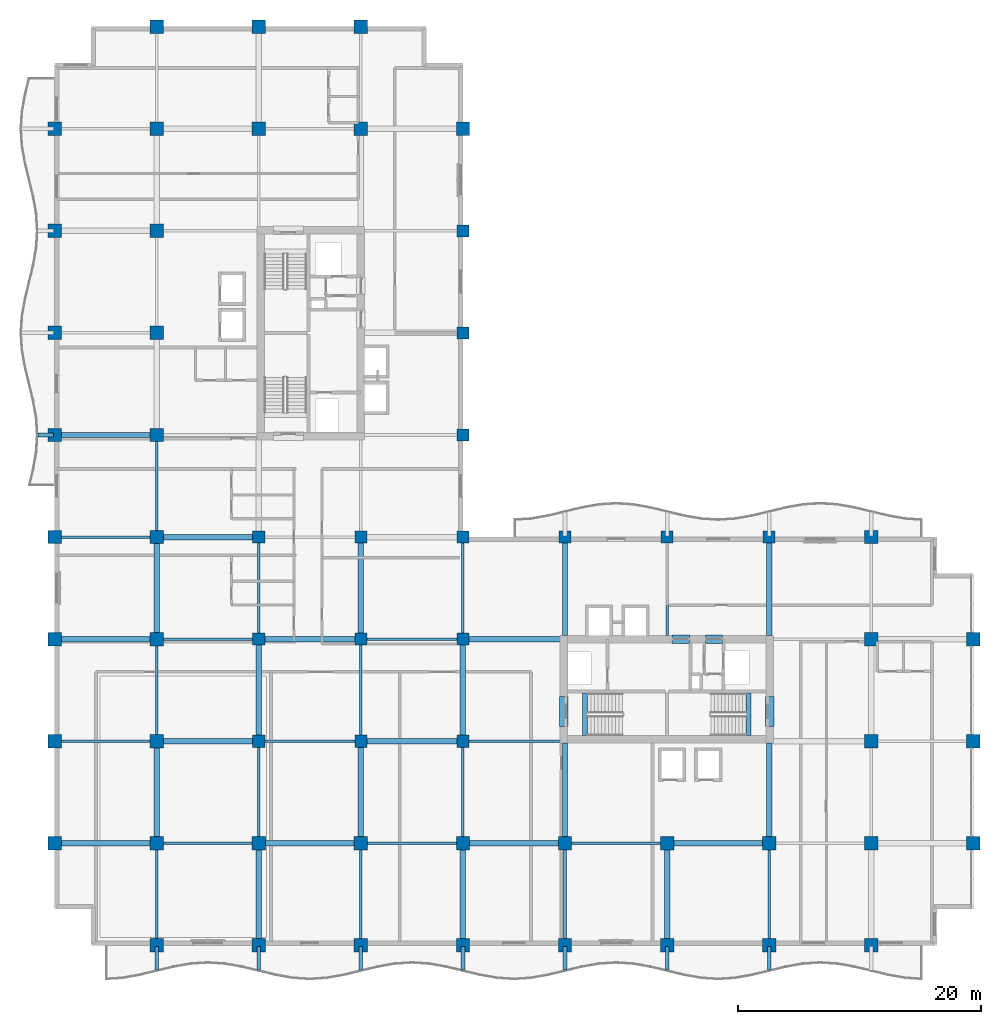
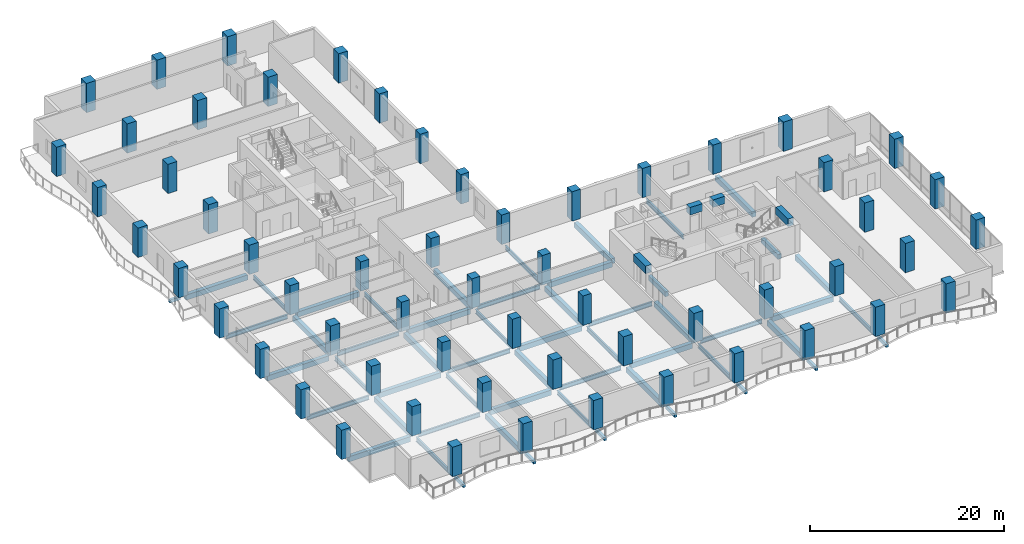
# One storey, part 1 of 20: 59 beams, 58 columns.
"""IFC4 building model written with IfcOpenShell, lengths in metres."""

from ifc_helpers import new_model, si_unit, direction, frame, origin, origin_2d, place, context, subcontext, project, spatial, rectangle, i_section, extrude, material, material_profile, profile_set, type_object, element, save


model = new_model("IFC4")

# Units and contexts
model_context = context("Model", 3, precision=1e-05, world=origin(), true_north=direction((0.0, 1.0)))
body_context = subcontext(model_context, "Body", "Model", "MODEL_VIEW")
ifc_project = project(units=[si_unit("LENGTHUNIT", "METRE"), si_unit("AREAUNIT", "SQUARE_METRE"), si_unit("VOLUMEUNIT", "CUBIC_METRE"), si_unit("PLANEANGLEUNIT", "RADIAN"), si_unit("MASSUNIT", "GRAM", prefix="KILO")], contexts=[model_context])

# Site, building, storey
site_placement = place(None, origin())
site = spatial("IfcSite", under=ifc_project, at=site_placement, CompositionType="ELEMENT")
building_placement = place(site_placement, origin())
building = spatial("IfcBuilding", under=site, at=building_placement, Name="Koriwani Terraces Tower", CompositionType="ELEMENT")
storey_placement = place(building_placement, frame((0.0, 0.0, 212.39990234375)))
storey = spatial("IfcBuildingStorey", under=building, at=storey_placement, Name="L52", CompositionType="ELEMENT", Elevation=212.39990234375)

# Columns
ifc_material_1 = material(Name="Concrete C50/60", Category="concrete")
ifc_material_profile_1 = material_profile(ifc_material_1, rectangle(XDim=1.0, YDim=1.0, at=origin_2d()), Name="Concrete C50/60", Category="LoadBearing")
ifc_profile_set_1 = profile_set([ifc_material_profile_1], Name="Concrete C50/60")
column_type_1 = type_object("IfcColumnType", Name="COL_RC_1000X1000", PredefinedType="COLUMN", material=ifc_profile_set_1)
for number, where, z_axis, x_axis, name in (
    (1, (16.800048828125, 16.800048828125, 0.0), (0.0, 0.0, 1.0), (1.0, 0.0, 0.0), "L52 Column 3/C"),
    (2, (16.800048828125, 25.199951171875, 0.0), (0.0, 0.0, 1.0), (1.0, 0.0, 0.0), "L52 Column 3/D"),
    (3, (16.800048828125, 33.60009765625, 0.0), (0.0, 0.0, 1.0), (1.0, 0.0, 0.0), "L52 Column 3/E"),
    (4, (25.199951171875, 16.800048828125, 0.0), (0.0, 0.0, 1.0), (1.0, 0.0, 0.0), "L52 Column 4/C"),
    (5, (25.199951171875, 25.199951171875, 0.0), (0.0, 0.0, 1.0), (1.0, 0.0, 0.0), "L52 Column 4/D"),
    (6, (25.199951171875, 33.60009765625, 0.0), (0.0, 0.0, 1.0), (1.0, 0.0, 0.0), "L52 Column 4/E"),
    (7, (33.60009765625, 16.800048828125, 0.0), (0.0, 0.0, 1.0), (1.0, 0.0, 0.0), "L52 Column 5/C"),
    (8, (33.60009765625, 25.199951171875, 0.0), (0.0, 0.0, 1.0), (1.0, 0.0, 0.0), "L52 Column 5/D"),
    (9, (33.60009765625, 33.60009765625, 0.0), (0.0, 0.0, 1.0), (1.0, 0.0, 0.0), "L52 Column 5/E"),
    (10, (33.60009765625, 42.0, 0.0), (0.0, 0.0, 1.0), (1.0, 0.0, 0.0), "L52 Column 5/F"),
    (11, (33.60009765625, 50.39990234375, 0.0), (0.0, 0.0, 1.0), (1.0, 0.0, 0.0), "L52 Column 5/G"),
    (12, (33.60009765625, 58.800048828125, 0.0), (0.0, 0.0, 1.0), (1.0, 0.0, 0.0), "L52 Column 5/H"),
    (13, (42.0, 33.60009765625, 0.0), (0.0, 0.0, 1.0), (1.0, 0.0, 0.0), "L52 Column 6/E"),
    (14, (50.39990234375, 33.60009765625, 0.0), (0.0, 0.0, 1.0), (1.0, 0.0, 0.0), "L52 Column 7/E"),
    (15, (58.800048828125, 33.60009765625, 0.0), (0.0, 0.0, 1.0), (1.0, 0.0, 0.0), "L52 Column 8/E"),
):
    element("IfcColumn", number, at=place(storey_placement, frame(where, z_axis=z_axis, x_axis=x_axis)), inside=storey, type_object=column_type_1, Name=name, PredefinedType="COLUMN", context=body_context, shape_type="SweptSolid", body=[
        extrude(rectangle(XDim=1.0, YDim=1.0, at=origin_2d()), origin(), (0.0, 0.0, 1.0), 3.7001953125),
    ])
ifc_material_profile_2 = material_profile(ifc_material_1, rectangle(XDim=1.10009765625, YDim=1.10009765625, at=origin_2d()), Name="Concrete C50/60", Category="LoadBearing")
ifc_profile_set_2 = profile_set([ifc_material_profile_2], Name="Concrete C50/60")
column_type_2 = type_object("IfcColumnType", Name="COL_RC_1100X1100", PredefinedType="COLUMN", material=ifc_profile_set_2)
for number, where, z_axis, x_axis, name in (
    (16, (0.0, 8.39990234375, 0.0), (0.0, 0.0, 1.0), (1.0, 0.0, 0.0), "L52 Column 1/B"),
    (17, (0.0, 16.800048828125, 0.0), (0.0, 0.0, 1.0), (1.0, 0.0, 0.0), "L52 Column 1/C"),
    (18, (0.0, 25.199951171875, 0.0), (0.0, 0.0, 1.0), (1.0, 0.0, 0.0), "L52 Column 1/D"),
    (19, (0.0, 33.60009765625, 0.0), (0.0, 0.0, 1.0), (1.0, 0.0, 0.0), "L52 Column 1/E"),
    (20, (0.0, 42.0, 0.0), (0.0, 0.0, 1.0), (1.0, 0.0, 0.0), "L52 Column 1/F"),
    (21, (0.0, 50.39990234375, 0.0), (0.0, 0.0, 1.0), (1.0, 0.0, 0.0), "L52 Column 1/G"),
    (22, (0.0, 58.800048828125, 0.0), (0.0, 0.0, 1.0), (1.0, 0.0, 0.0), "L52 Column 1/H"),
    (23, (0.0, 67.199951171875, 0.0), (0.0, 0.0, 1.0), (1.0, 0.0, 0.0), "L52 Column 1/I"),
    (24, (8.39990234375, 0.0, 0.0), (0.0, 0.0, 1.0), (1.0, 0.0, 0.0), "L52 Column 2/A"),
    (25, (8.39990234375, 8.39990234375, 0.0), (0.0, 0.0, 1.0), (1.0, 0.0, 0.0), "L52 Column 2/B"),
    (26, (8.39990234375, 16.800048828125, 0.0), (0.0, 0.0, 1.0), (1.0, 0.0, 0.0), "L52 Column 2/C"),
    (27, (8.39990234375, 25.199951171875, 0.0), (0.0, 0.0, 1.0), (1.0, 0.0, 0.0), "L52 Column 2/D"),
    (28, (8.39990234375, 33.60009765625, 0.0), (0.0, 0.0, 1.0), (1.0, 0.0, 0.0), "L52 Column 2/E"),
    (29, (8.39990234375, 42.0, 0.0), (0.0, 0.0, 1.0), (1.0, 0.0, 0.0), "L52 Column 2/F"),
    (30, (8.39990234375, 50.39990234375, 0.0), (0.0, 0.0, 1.0), (1.0, 0.0, 0.0), "L52 Column 2/G"),
    (31, (8.39990234375, 58.800048828125, 0.0), (0.0, 0.0, 1.0), (1.0, 0.0, 0.0), "L52 Column 2/H"),
    (32, (8.39990234375, 67.199951171875, 0.0), (0.0, 0.0, 1.0), (1.0, 0.0, 0.0), "L52 Column 2/I"),
    (33, (8.39990234375, 75.60009765625, 0.0), (0.0, 0.0, 1.0), (1.0, 0.0, 0.0), "L52 Column 2/J"),
    (34, (16.800048828125, 0.0, 0.0), (0.0, 0.0, 1.0), (1.0, 0.0, 0.0), "L52 Column 3/A"),
    (35, (16.800048828125, 8.39990234375, 0.0), (0.0, 0.0, 1.0), (1.0, 0.0, 0.0), "L52 Column 3/B"),
    (36, (16.800048828125, 67.199951171875, 0.0), (0.0, 0.0, 1.0), (1.0, 0.0, 0.0), "L52 Column 3/I"),
    (37, (16.800048828125, 75.60009765625, 0.0), (0.0, 0.0, 1.0), (1.0, 0.0, 0.0), "L52 Column 3/J"),
    (38, (25.199951171875, 0.0, 0.0), (0.0, 0.0, 1.0), (1.0, 0.0, 0.0), "L52 Column 4/A"),
    (39, (25.199951171875, 8.39990234375, 0.0), (0.0, 0.0, 1.0), (1.0, 0.0, 0.0), "L52 Column 4/B"),
    (40, (25.199951171875, 67.199951171875, 0.0), (0.0, 0.0, 1.0), (1.0, 0.0, 0.0), "L52 Column 4/I"),
    (41, (25.199951171875, 75.60009765625, 0.0), (0.0, 0.0, 1.0), (1.0, 0.0, 0.0), "L52 Column 4/J"),
    (42, (33.60009765625, 0.0, 0.0), (0.0, 0.0, 1.0), (1.0, 0.0, 0.0), "L52 Column 5/A"),
    (43, (33.60009765625, 8.39990234375, 0.0), (0.0, 0.0, 1.0), (1.0, 0.0, 0.0), "L52 Column 5/B"),
    (44, (33.60009765625, 67.199951171875, 0.0), (0.0, 0.0, 1.0), (1.0, 0.0, 0.0), "L52 Column 5/I"),
    (45, (42.0, 0.0, 0.0), (0.0, 0.0, 1.0), (1.0, 0.0, 0.0), "L52 Column 6/A"),
    (46, (42.0, 8.39990234375, 0.0), (0.0, 0.0, 1.0), (1.0, 0.0, 0.0), "L52 Column 6/B"),
    (47, (50.39990234375, 0.0, 0.0), (0.0, 0.0, 1.0), (1.0, 0.0, 0.0), "L52 Column 7/A"),
    (48, (50.39990234375, 8.39990234375, 0.0), (0.0, 0.0, 1.0), (1.0, 0.0, 0.0), "L52 Column 7/B"),
    (49, (58.800048828125, 0.0, 0.0), (0.0, 0.0, 1.0), (1.0, 0.0, 0.0), "L52 Column 8/A"),
    (50, (58.800048828125, 8.39990234375, 0.0), (0.0, 0.0, 1.0), (1.0, 0.0, 0.0), "L52 Column 8/B"),
    (51, (67.199951171875, 0.0, 0.0), (0.0, 0.0, 1.0), (1.0, 0.0, 0.0), "L52 Column 9/A"),
    (52, (67.199951171875, 8.39990234375, 0.0), (0.0, 0.0, 1.0), (1.0, 0.0, 0.0), "L52 Column 9/B"),
    (53, (67.199951171875, 16.800048828125, 0.0), (0.0, 0.0, 1.0), (1.0, 0.0, 0.0), "L52 Column 9/C"),
    (54, (67.199951171875, 25.199951171875, 0.0), (0.0, 0.0, 1.0), (1.0, 0.0, 0.0), "L52 Column 9/D"),
    (55, (67.199951171875, 33.60009765625, 0.0), (0.0, 0.0, 1.0), (1.0, 0.0, 0.0), "L52 Column 9/E"),
    (56, (75.60009765625, 8.39990234375, 0.0), (0.0, 0.0, 1.0), (1.0, 0.0, 0.0), "L52 Column 10/B"),
    (57, (75.60009765625, 16.800048828125, 0.0), (0.0, 0.0, 1.0), (1.0, 0.0, 0.0), "L52 Column 10/C"),
    (58, (75.60009765625, 25.199951171875, 0.0), (0.0, 0.0, 1.0), (1.0, 0.0, 0.0), "L52 Column 10/D"),
):
    element("IfcColumn", number, at=place(storey_placement, frame(where, z_axis=z_axis, x_axis=x_axis)), inside=storey, type_object=column_type_2, Name=name, PredefinedType="COLUMN", context=body_context, shape_type="SweptSolid", body=[
        extrude(rectangle(XDim=1.10009765625, YDim=1.10009765625, at=origin_2d()), origin(), (0.0, 0.0, 1.0), 3.7001953125),
    ])

# Beams
ifc_material_2 = material(Name="Concrete C40/50", Category="concrete")
ifc_material_profile_3 = material_profile(ifc_material_2, rectangle(XDim=0.300048828125, YDim=0.39990234375, at=origin_2d()), Name="Concrete C40/50", Category="LoadBearing")
ifc_profile_set_3 = profile_set([ifc_material_profile_3], Name="Concrete C40/50")
beam_type_1 = type_object("IfcBeamType", Name="BEAM_RC_BALCONY_RIB_300X400", PredefinedType="JOIST", material=ifc_profile_set_3)
for number, where, z_axis, x_axis, name in (
    (59, (8.39990234375, -2.02490234375, -0.429931640625), (0.0, 1.0, 0.0), (-1.0, 0.0, 0.0), "L52 Balcony Bracket Rib S-1"),
    (60, (16.800048828125, -2.02490234375, -0.429931640625), (0.0, 1.0, 0.0), (-1.0, 0.0, 0.0), "L52 Balcony Bracket Rib S-2"),
    (61, (25.199951171875, -2.02490234375, -0.429931640625), (0.0, 1.0, 0.0), (-1.0, 0.0, 0.0), "L52 Balcony Bracket Rib S-3"),
    (62, (33.60009765625, -2.02490234375, -0.429931640625), (0.0, 1.0, 0.0), (-1.0, 0.0, 0.0), "L52 Balcony Bracket Rib S-4"),
    (63, (42.0, -2.02490234375, -0.429931640625), (0.0, 1.0, 0.0), (-1.0, 0.0, 0.0), "L52 Balcony Bracket Rib S-5"),
    (64, (50.39990234375, -2.02490234375, -0.429931640625), (0.0, 1.0, 0.0), (-1.0, 0.0, 0.0), "L52 Balcony Bracket Rib S-6"),
    (65, (58.800048828125, -2.02490234375, -0.429931640625), (0.0, 1.0, 0.0), (-1.0, 0.0, 0.0), "L52 Balcony Bracket Rib S-7"),
):
    element("IfcBeam", number, at=place(storey_placement, frame(where, z_axis=z_axis, x_axis=x_axis)), inside=storey, type_object=beam_type_1, Name=name, PredefinedType="JOIST", context=body_context, shape_type="SweptSolid", body=[
        extrude(rectangle(XDim=0.300048828125, YDim=0.39990234375, at=origin_2d()), origin(), (0.0, 0.0, 1.0), 1.9248046875),
    ])
beam_1_placement = place(storey_placement, frame((-1.35009765625, 42.0, -0.429931640625), z_axis=(1.0, 0.0, 0.0), x_axis=(0.0, 1.0, 0.0)))
element("IfcBeam", 66, at=beam_1_placement, inside=storey, type_object=beam_type_1, Name="L52 Balcony Bracket Rib W-1", PredefinedType="JOIST", context=body_context, shape_type="SweptSolid", body=[
    extrude(rectangle(XDim=0.300048828125, YDim=0.39990234375, at=origin_2d()), origin(), (0.0, 0.0, 1.0), 1.25),
])
ifc_material_3 = material(Name="Concrete C60/75", Category="concrete")
ifc_material_profile_4 = material_profile(ifc_material_3, rectangle(XDim=0.699951171875, YDim=0.949951171875, at=origin_2d()), Name="Concrete C60/75", Category="LoadBearing")
ifc_profile_set_4 = profile_set([ifc_material_profile_4], Name="Concrete C60/75")
beam_type_2 = type_object("IfcBeamType", Name="BEAM_RC_COUPLING_700X950", PredefinedType="LINTEL", material=ifc_profile_set_4)
beam_2_placement = place(storey_placement, frame((50.800048828125, 25.199951171875, 2.9951171875), z_axis=(1.0, 0.0, 0.0), x_axis=(0.0, 1.0, 0.0)))
element("IfcBeam", 67, at=beam_2_placement, inside=storey, type_object=beam_type_2, Name="L52 Core Coupling Lintel Beam EN1", PredefinedType="LINTEL", context=body_context, shape_type="SweptSolid", body=[
    extrude(rectangle(XDim=0.699951171875, YDim=0.949951171875, at=origin_2d()), origin(), (0.0, 0.0, 1.0), 1.47998046875),
])
beam_3_placement = place(storey_placement, frame((53.550048828125, 25.199951171875, 2.9951171875), z_axis=(1.0, 0.0, 0.0), x_axis=(0.0, 1.0, 0.0)))
element("IfcBeam", 68, at=beam_3_placement, inside=storey, type_object=beam_type_2, Name="L52 Core Coupling Lintel Beam EN2", PredefinedType="LINTEL", context=body_context, shape_type="SweptSolid", body=[
    extrude(rectangle(XDim=0.699951171875, YDim=0.949951171875, at=origin_2d()), origin(), (0.0, 0.0, 1.0), 1.39990234375),
])
for number, where, z_axis, x_axis, name in (
    (69, (41.89990234375, 18.0, 2.9951171875), (0.0, 1.0, 0.0), (-1.0, 0.0, 0.0), "L52 Core Coupling Lintel Beam EW"),
    (70, (58.85009765625, 18.0, 2.9951171875), (0.0, 1.0, 0.0), (-1.0, 0.0, 0.0), "L52 Core Coupling Lintel Beam EE"),
):
    element("IfcBeam", number, at=place(storey_placement, frame(where, z_axis=z_axis, x_axis=x_axis)), inside=storey, type_object=beam_type_2, Name=name, PredefinedType="LINTEL", context=body_context, shape_type="SweptSolid", body=[
        extrude(rectangle(XDim=0.699951171875, YDim=0.949951171875, at=origin_2d()), origin(), (0.0, 0.0, 1.0), 2.5),
    ])
ifc_material_profile_5 = material_profile(ifc_material_2, rectangle(XDim=0.39990234375, YDim=0.60009765625, at=origin_2d()), Name="Concrete C40/50", Category="LoadBearing")
ifc_profile_set_5 = profile_set([ifc_material_profile_5], Name="Concrete C40/50")
beam_type_3 = type_object("IfcBeamType", Name="BEAM_RC_GRID_400X600", PredefinedType="BEAM", material=ifc_profile_set_5)
for number, where, z_axis, x_axis, name in (
    (71, (43.655029296875, 17.25, -0.2998046875), (0.0, 1.0, 0.0), (-1.0, 0.0, 0.0), "L52 Stairwell Header Trimmer Beam ST-E1"),
    (72, (57.094970703125, 17.25, -0.2998046875), (0.0, 1.0, 0.0), (-1.0, 0.0, 0.0), "L52 Stairwell Header Trimmer Beam ST-E2"),
):
    element("IfcBeam", number, at=place(storey_placement, frame(where, z_axis=z_axis, x_axis=x_axis)), inside=storey, type_object=beam_type_3, Name=name, PredefinedType="BEAM", context=body_context, shape_type="SweptSolid", body=[
        extrude(rectangle(XDim=0.39990234375, YDim=0.60009765625, at=origin_2d()), origin(), (0.0, 0.0, 1.0), 3.5),
    ])
ifc_material_profile_6 = material_profile(ifc_material_1, rectangle(XDim=0.449951171875, YDim=0.64990234375, at=origin_2d()), Name="Concrete C50/60", Category="LoadBearing")
ifc_profile_set_6 = profile_set([ifc_material_profile_6], Name="Concrete C50/60")
beam_type_4 = type_object("IfcBeamType", Name="BEAM_RC_GRID_450X650", PredefinedType="BEAM", material=ifc_profile_set_6)
beam_4_placement = place(storey_placement, frame((0.530029296875, 8.39990234375, -0.554931640625), z_axis=(1.0, 0.0, 0.0), x_axis=(0.0, 1.0, 0.0)))
element("IfcBeam", 73, at=beam_4_placement, inside=storey, type_object=beam_type_4, Name="L52 Grid Beam B (0.0-8.4m)", PredefinedType="BEAM", context=body_context, shape_type="SweptSolid", body=[
    extrude(rectangle(XDim=0.449951171875, YDim=0.64990234375, at=origin_2d()), origin(), (0.0, 0.0, 1.0), 7.340087890625),
])
beam_5_placement = place(storey_placement, frame((17.330078125, 8.39990234375, -0.554931640625), z_axis=(1.0, 0.0, 0.0), x_axis=(0.0, 1.0, 0.0)))
element("IfcBeam", 74, at=beam_5_placement, inside=storey, type_object=beam_type_4, Name="L52 Grid Beam B (16.8-25.2m)", PredefinedType="BEAM", context=body_context, shape_type="SweptSolid", body=[
    extrude(rectangle(XDim=0.449951171875, YDim=0.64990234375, at=origin_2d()), origin(), (0.0, 0.0, 1.0), 7.33984375),
])
for number, where, z_axis, x_axis, name in (
    (75, (34.1298828125, 8.39990234375, -0.554931640625), (1.0, 0.0, 0.0), (0.0, 1.0, 0.0), "L52 Grid Beam B (33.6-42.0m)"),
    (76, (50.929931640625, 8.39990234375, -0.554931640625), (1.0, 0.0, 0.0), (0.0, 1.0, 0.0), "L52 Grid Beam B (50.4-58.8m)"),
):
    element("IfcBeam", number, at=place(storey_placement, frame(where, z_axis=z_axis, x_axis=x_axis)), inside=storey, type_object=beam_type_4, Name=name, PredefinedType="BEAM", context=body_context, shape_type="SweptSolid", body=[
        extrude(rectangle(XDim=0.449951171875, YDim=0.64990234375, at=origin_2d()), origin(), (0.0, 0.0, 1.0), 7.340087890625),
    ])
beam_6_placement = place(storey_placement, frame((8.929931640625, 16.800048828125, -0.554931640625), z_axis=(1.0, 0.0, 0.0), x_axis=(0.0, 1.0, 0.0)))
element("IfcBeam", 77, at=beam_6_placement, inside=storey, type_object=beam_type_4, Name="L52 Grid Beam C (8.4-16.8m)", PredefinedType="BEAM", context=body_context, shape_type="SweptSolid", body=[
    extrude(rectangle(XDim=0.449951171875, YDim=0.64990234375, at=origin_2d()), origin(), (0.0, 0.0, 1.0), 7.39013671875),
])
beam_7_placement = place(storey_placement, frame((25.679931640625, 16.800048828125, -0.554931640625), z_axis=(1.0, 0.0, 0.0), x_axis=(0.0, 1.0, 0.0)))
element("IfcBeam", 78, at=beam_7_placement, inside=storey, type_object=beam_type_4, Name="L52 Grid Beam C (25.2-33.6m)", PredefinedType="BEAM", context=body_context, shape_type="SweptSolid", body=[
    extrude(rectangle(XDim=0.449951171875, YDim=0.64990234375, at=origin_2d()), origin(), (0.0, 0.0, 1.0), 7.440185546875),
])
beam_8_placement = place(storey_placement, frame((0.530029296875, 25.199951171875, -0.554931640625), z_axis=(1.0, 0.0, 0.0), x_axis=(0.0, 1.0, 0.0)))
element("IfcBeam", 79, at=beam_8_placement, inside=storey, type_object=beam_type_4, Name="L52 Grid Beam D (0.0-8.4m)", PredefinedType="BEAM", context=body_context, shape_type="SweptSolid", body=[
    extrude(rectangle(XDim=0.449951171875, YDim=0.64990234375, at=origin_2d()), origin(), (0.0, 0.0, 1.0), 7.340087890625),
])
beam_9_placement = place(storey_placement, frame((17.280029296875, 25.199951171875, -0.554931640625), z_axis=(1.0, 0.0, 0.0), x_axis=(0.0, 1.0, 0.0)))
element("IfcBeam", 80, at=beam_9_placement, inside=storey, type_object=beam_type_4, Name="L52 Grid Beam D (16.8-25.2m)", PredefinedType="BEAM", context=body_context, shape_type="SweptSolid", body=[
    extrude(rectangle(XDim=0.449951171875, YDim=0.64990234375, at=origin_2d()), origin(), (0.0, 0.0, 1.0), 7.43994140625),
])
beam_10_placement = place(storey_placement, frame((34.080078125, 25.199951171875, -0.554931640625), z_axis=(1.0, 0.0, 0.0), x_axis=(0.0, 1.0, 0.0)))
element("IfcBeam", 81, at=beam_10_placement, inside=storey, type_object=beam_type_4, Name="L52 Grid Beam D (33.6-42.0m)", PredefinedType="BEAM", context=body_context, shape_type="SweptSolid", body=[
    extrude(rectangle(XDim=0.449951171875, YDim=0.64990234375, at=origin_2d()), origin(), (0.0, 0.0, 1.0), 7.5400390625),
])
beam_11_placement = place(storey_placement, frame((8.929931640625, 33.60009765625, -0.554931640625), z_axis=(1.0, 0.0, 0.0), x_axis=(0.0, 1.0, 0.0)))
element("IfcBeam", 82, at=beam_11_placement, inside=storey, type_object=beam_type_4, Name="L52 Grid Beam E (8.4-16.8m)", PredefinedType="BEAM", context=body_context, shape_type="SweptSolid", body=[
    extrude(rectangle(XDim=0.449951171875, YDim=0.64990234375, at=origin_2d()), origin(), (0.0, 0.0, 1.0), 7.39013671875),
])
for number, where, z_axis, x_axis, name in (
    (83, (0.530029296875, 42.0, -0.554931640625), (1.0, 0.0, 0.0), (0.0, 1.0, 0.0), "L52 Grid Beam F (0.0-8.4m)"),
    (84, (8.39990234375, 8.929931640625, -0.554931640625), (0.0, 1.0, 0.0), (-1.0, 0.0, 0.0), "L52 Grid Beam 2 (8.4-16.8m)"),
    (85, (8.39990234375, 25.72998046875, -0.554931640625), (0.0, 1.0, 0.0), (-1.0, 0.0, 0.0), "L52 Grid Beam 2 (25.2-33.6m)"),
    (86, (16.800048828125, 0.530029296875, -0.554931640625), (0.0, 1.0, 0.0), (-1.0, 0.0, 0.0), "L52 Grid Beam 3 (0.0-8.4m)"),
):
    element("IfcBeam", number, at=place(storey_placement, frame(where, z_axis=z_axis, x_axis=x_axis)), inside=storey, type_object=beam_type_4, Name=name, PredefinedType="BEAM", context=body_context, shape_type="SweptSolid", body=[
        extrude(rectangle(XDim=0.449951171875, YDim=0.64990234375, at=origin_2d()), origin(), (0.0, 0.0, 1.0), 7.340087890625),
    ])
beam_12_placement = place(storey_placement, frame((16.800048828125, 17.280029296875, -0.554931640625), z_axis=(0.0, 1.0, 0.0), x_axis=(-1.0, 0.0, 0.0)))
element("IfcBeam", 87, at=beam_12_placement, inside=storey, type_object=beam_type_4, Name="L52 Grid Beam 3 (16.8-25.2m)", PredefinedType="BEAM", context=body_context, shape_type="SweptSolid", body=[
    extrude(rectangle(XDim=0.449951171875, YDim=0.64990234375, at=origin_2d()), origin(), (0.0, 0.0, 1.0), 7.43994140625),
])
beam_13_placement = place(storey_placement, frame((25.199951171875, 8.929931640625, -0.554931640625), z_axis=(0.0, 1.0, 0.0), x_axis=(-1.0, 0.0, 0.0)))
element("IfcBeam", 88, at=beam_13_placement, inside=storey, type_object=beam_type_4, Name="L52 Grid Beam 4 (8.4-16.8m)", PredefinedType="BEAM", context=body_context, shape_type="SweptSolid", body=[
    extrude(rectangle(XDim=0.449951171875, YDim=0.64990234375, at=origin_2d()), origin(), (0.0, 0.0, 1.0), 7.39013671875),
])
beam_14_placement = place(storey_placement, frame((25.199951171875, 25.679931640625, -0.554931640625), z_axis=(0.0, 1.0, 0.0), x_axis=(-1.0, 0.0, 0.0)))
element("IfcBeam", 89, at=beam_14_placement, inside=storey, type_object=beam_type_4, Name="L52 Grid Beam 4 (25.2-33.6m)", PredefinedType="BEAM", context=body_context, shape_type="SweptSolid", body=[
    extrude(rectangle(XDim=0.449951171875, YDim=0.64990234375, at=origin_2d()), origin(), (0.0, 0.0, 1.0), 7.440185546875),
])
beam_15_placement = place(storey_placement, frame((33.60009765625, 0.530029296875, -0.554931640625), z_axis=(0.0, 1.0, 0.0), x_axis=(-1.0, 0.0, 0.0)))
element("IfcBeam", 90, at=beam_15_placement, inside=storey, type_object=beam_type_4, Name="L52 Grid Beam 5 (0.0-8.4m)", PredefinedType="BEAM", context=body_context, shape_type="SweptSolid", body=[
    extrude(rectangle(XDim=0.449951171875, YDim=0.64990234375, at=origin_2d()), origin(), (0.0, 0.0, 1.0), 7.340087890625),
])
beam_16_placement = place(storey_placement, frame((33.60009765625, 17.280029296875, -0.554931640625), z_axis=(0.0, 1.0, 0.0), x_axis=(-1.0, 0.0, 0.0)))
element("IfcBeam", 91, at=beam_16_placement, inside=storey, type_object=beam_type_4, Name="L52 Grid Beam 5 (16.8-25.2m)", PredefinedType="BEAM", context=body_context, shape_type="SweptSolid", body=[
    extrude(rectangle(XDim=0.449951171875, YDim=0.64990234375, at=origin_2d()), origin(), (0.0, 0.0, 1.0), 7.43994140625),
])
beam_17_placement = place(storey_placement, frame((42.0, 8.929931640625, -0.554931640625), z_axis=(0.0, 1.0, 0.0), x_axis=(-1.0, 0.0, 0.0)))
element("IfcBeam", 92, at=beam_17_placement, inside=storey, type_object=beam_type_4, Name="L52 Grid Beam 6 (8.4-16.8m)", PredefinedType="BEAM", context=body_context, shape_type="SweptSolid", body=[
    extrude(rectangle(XDim=0.449951171875, YDim=0.64990234375, at=origin_2d()), origin(), (0.0, 0.0, 1.0), 7.739990234375),
])
beam_18_placement = place(storey_placement, frame((42.0, 25.47998046875, -0.554931640625), z_axis=(0.0, 1.0, 0.0), x_axis=(-1.0, 0.0, 0.0)))
element("IfcBeam", 93, at=beam_18_placement, inside=storey, type_object=beam_type_4, Name="L52 Grid Beam 6 (25.2-33.6m)", PredefinedType="BEAM", context=body_context, shape_type="SweptSolid", body=[
    extrude(rectangle(XDim=0.449951171875, YDim=0.64990234375, at=origin_2d()), origin(), (0.0, 0.0, 1.0), 7.64013671875),
])
beam_19_placement = place(storey_placement, frame((50.39990234375, 0.530029296875, -0.554931640625), z_axis=(0.0, 1.0, 0.0), x_axis=(-1.0, 0.0, 0.0)))
element("IfcBeam", 94, at=beam_19_placement, inside=storey, type_object=beam_type_4, Name="L52 Grid Beam 7 (0.0-8.4m)", PredefinedType="BEAM", context=body_context, shape_type="SweptSolid", body=[
    extrude(rectangle(XDim=0.449951171875, YDim=0.64990234375, at=origin_2d()), origin(), (0.0, 0.0, 1.0), 7.340087890625),
])
beam_20_placement = place(storey_placement, frame((58.800048828125, 8.929931640625, -0.554931640625), z_axis=(0.0, 1.0, 0.0), x_axis=(-1.0, 0.0, 0.0)))
element("IfcBeam", 95, at=beam_20_placement, inside=storey, type_object=beam_type_4, Name="L52 Grid Beam 8 (8.4-16.8m)", PredefinedType="BEAM", context=body_context, shape_type="SweptSolid", body=[
    extrude(rectangle(XDim=0.449951171875, YDim=0.64990234375, at=origin_2d()), origin(), (0.0, 0.0, 1.0), 7.739990234375),
])
beam_21_placement = place(storey_placement, frame((58.800048828125, 25.47998046875, -0.554931640625), z_axis=(0.0, 1.0, 0.0), x_axis=(-1.0, 0.0, 0.0)))
element("IfcBeam", 96, at=beam_21_placement, inside=storey, type_object=beam_type_4, Name="L52 Grid Beam 8 (25.2-33.6m)", PredefinedType="BEAM", context=body_context, shape_type="SweptSolid", body=[
    extrude(rectangle(XDim=0.449951171875, YDim=0.64990234375, at=origin_2d()), origin(), (0.0, 0.0, 1.0), 7.64013671875),
])
ifc_material_4 = material(Name="Steel ASTM A572 Grade 50", Category="steel")
ifc_material_profile_7 = material_profile(ifc_material_4, i_section(OverallWidth=0.2119140625, OverallDepth=0.54296875, WebThickness=0.0126953125, FlangeThickness=0.021240234375, at=origin_2d()), Name="Steel ASTM A572 Grade 50", Category="LoadBearing")
ifc_profile_set_7 = profile_set([ifc_material_profile_7], Name="Steel ASTM A572 Grade 50")
beam_type_5 = type_object("IfcBeamType", Name="STEEL_BEAM_W530X150", PredefinedType="BEAM", material=ifc_profile_set_7)
for number, where, z_axis, x_axis, name in (
    (97, (8.929931640625, 8.39990234375, -0.50146484375), (1.0, 0.0, 0.0), (0.0, 1.0, 0.0), "L52 Grid Beam B (8.4-16.8m)"),
    (98, (25.72998046875, 8.39990234375, -0.50146484375), (1.0, 0.0, 0.0), (0.0, 1.0, 0.0), "L52 Grid Beam B (25.2-33.6m)"),
    (99, (42.530029296875, 8.39990234375, -0.50146484375), (1.0, 0.0, 0.0), (0.0, 1.0, 0.0), "L52 Grid Beam B (42.0-50.4m)"),
    (100, (0.530029296875, 16.800048828125, -0.50146484375), (1.0, 0.0, 0.0), (0.0, 1.0, 0.0), "L52 Grid Beam C (0.0-8.4m)"),
):
    element("IfcBeam", number, at=place(storey_placement, frame(where, z_axis=z_axis, x_axis=x_axis)), inside=storey, type_object=beam_type_5, Name=name, PredefinedType="BEAM", context=body_context, shape_type="SweptSolid", body=[
        extrude(i_section(OverallWidth=0.2119140625, OverallDepth=0.54296875, WebThickness=0.0126953125, FlangeThickness=0.021240234375, at=origin_2d()), origin(), (0.0, 0.0, 1.0), 7.340087890625),
    ])
beam_22_placement = place(storey_placement, frame((17.280029296875, 16.800048828125, -0.50146484375), z_axis=(1.0, 0.0, 0.0), x_axis=(0.0, 1.0, 0.0)))
element("IfcBeam", 101, at=beam_22_placement, inside=storey, type_object=beam_type_5, Name="L52 Grid Beam C (16.8-25.2m)", PredefinedType="BEAM", context=body_context, shape_type="SweptSolid", body=[
    extrude(i_section(OverallWidth=0.2119140625, OverallDepth=0.54296875, WebThickness=0.0126953125, FlangeThickness=0.021240234375, at=origin_2d()), origin(), (0.0, 0.0, 1.0), 7.43994140625),
])
beam_23_placement = place(storey_placement, frame((34.080078125, 16.800048828125, -0.50146484375), z_axis=(1.0, 0.0, 0.0), x_axis=(0.0, 1.0, 0.0)))
element("IfcBeam", 102, at=beam_23_placement, inside=storey, type_object=beam_type_5, Name="L52 Grid Beam C (33.6-42.0m)", PredefinedType="BEAM", context=body_context, shape_type="SweptSolid", body=[
    extrude(i_section(OverallWidth=0.2119140625, OverallDepth=0.54296875, WebThickness=0.0126953125, FlangeThickness=0.021240234375, at=origin_2d()), origin(), (0.0, 0.0, 1.0), 7.5400390625),
])
beam_24_placement = place(storey_placement, frame((8.929931640625, 25.199951171875, -0.50146484375), z_axis=(1.0, 0.0, 0.0), x_axis=(0.0, 1.0, 0.0)))
element("IfcBeam", 103, at=beam_24_placement, inside=storey, type_object=beam_type_5, Name="L52 Grid Beam D (8.4-16.8m)", PredefinedType="BEAM", context=body_context, shape_type="SweptSolid", body=[
    extrude(i_section(OverallWidth=0.2119140625, OverallDepth=0.54296875, WebThickness=0.0126953125, FlangeThickness=0.021240234375, at=origin_2d()), origin(), (0.0, 0.0, 1.0), 7.39013671875),
])
beam_25_placement = place(storey_placement, frame((25.679931640625, 25.199951171875, -0.50146484375), z_axis=(1.0, 0.0, 0.0), x_axis=(0.0, 1.0, 0.0)))
element("IfcBeam", 104, at=beam_25_placement, inside=storey, type_object=beam_type_5, Name="L52 Grid Beam D (25.2-33.6m)", PredefinedType="BEAM", context=body_context, shape_type="SweptSolid", body=[
    extrude(i_section(OverallWidth=0.2119140625, OverallDepth=0.54296875, WebThickness=0.0126953125, FlangeThickness=0.021240234375, at=origin_2d()), origin(), (0.0, 0.0, 1.0), 7.440185546875),
])
for number, where, z_axis, x_axis, name in (
    (105, (0.530029296875, 33.60009765625, -0.50146484375), (1.0, 0.0, 0.0), (0.0, 1.0, 0.0), "L52 Grid Beam E (0.0-8.4m)"),
    (106, (8.39990234375, 0.530029296875, -0.50146484375), (0.0, 1.0, 0.0), (-1.0, 0.0, 0.0), "L52 Grid Beam 2 (0.0-8.4m)"),
):
    element("IfcBeam", number, at=place(storey_placement, frame(where, z_axis=z_axis, x_axis=x_axis)), inside=storey, type_object=beam_type_5, Name=name, PredefinedType="BEAM", context=body_context, shape_type="SweptSolid", body=[
        extrude(i_section(OverallWidth=0.2119140625, OverallDepth=0.54296875, WebThickness=0.0126953125, FlangeThickness=0.021240234375, at=origin_2d()), origin(), (0.0, 0.0, 1.0), 7.340087890625),
    ])
beam_26_placement = place(storey_placement, frame((8.39990234375, 17.330078125, -0.50146484375), z_axis=(0.0, 1.0, 0.0), x_axis=(-1.0, 0.0, 0.0)))
element("IfcBeam", 107, at=beam_26_placement, inside=storey, type_object=beam_type_5, Name="L52 Grid Beam 2 (16.8-25.2m)", PredefinedType="BEAM", context=body_context, shape_type="SweptSolid", body=[
    extrude(i_section(OverallWidth=0.2119140625, OverallDepth=0.54296875, WebThickness=0.0126953125, FlangeThickness=0.021240234375, at=origin_2d()), origin(), (0.0, 0.0, 1.0), 7.33984375),
])
beam_27_placement = place(storey_placement, frame((8.39990234375, 34.1298828125, -0.50146484375), z_axis=(0.0, 1.0, 0.0), x_axis=(-1.0, 0.0, 0.0)))
element("IfcBeam", 108, at=beam_27_placement, inside=storey, type_object=beam_type_5, Name="L52 Grid Beam 2 (33.6-42.0m)", PredefinedType="BEAM", context=body_context, shape_type="SweptSolid", body=[
    extrude(i_section(OverallWidth=0.2119140625, OverallDepth=0.54296875, WebThickness=0.0126953125, FlangeThickness=0.021240234375, at=origin_2d()), origin(), (0.0, 0.0, 1.0), 7.340087890625),
])
beam_28_placement = place(storey_placement, frame((16.800048828125, 8.929931640625, -0.50146484375), z_axis=(0.0, 1.0, 0.0), x_axis=(-1.0, 0.0, 0.0)))
element("IfcBeam", 109, at=beam_28_placement, inside=storey, type_object=beam_type_5, Name="L52 Grid Beam 3 (8.4-16.8m)", PredefinedType="BEAM", context=body_context, shape_type="SweptSolid", body=[
    extrude(i_section(OverallWidth=0.2119140625, OverallDepth=0.54296875, WebThickness=0.0126953125, FlangeThickness=0.021240234375, at=origin_2d()), origin(), (0.0, 0.0, 1.0), 7.39013671875),
])
beam_29_placement = place(storey_placement, frame((16.800048828125, 25.679931640625, -0.50146484375), z_axis=(0.0, 1.0, 0.0), x_axis=(-1.0, 0.0, 0.0)))
element("IfcBeam", 110, at=beam_29_placement, inside=storey, type_object=beam_type_5, Name="L52 Grid Beam 3 (25.2-33.6m)", PredefinedType="BEAM", context=body_context, shape_type="SweptSolid", body=[
    extrude(i_section(OverallWidth=0.2119140625, OverallDepth=0.54296875, WebThickness=0.0126953125, FlangeThickness=0.021240234375, at=origin_2d()), origin(), (0.0, 0.0, 1.0), 7.440185546875),
])
beam_30_placement = place(storey_placement, frame((25.199951171875, 0.530029296875, -0.50146484375), z_axis=(0.0, 1.0, 0.0), x_axis=(-1.0, 0.0, 0.0)))
element("IfcBeam", 111, at=beam_30_placement, inside=storey, type_object=beam_type_5, Name="L52 Grid Beam 4 (0.0-8.4m)", PredefinedType="BEAM", context=body_context, shape_type="SweptSolid", body=[
    extrude(i_section(OverallWidth=0.2119140625, OverallDepth=0.54296875, WebThickness=0.0126953125, FlangeThickness=0.021240234375, at=origin_2d()), origin(), (0.0, 0.0, 1.0), 7.340087890625),
])
beam_31_placement = place(storey_placement, frame((25.199951171875, 17.280029296875, -0.50146484375), z_axis=(0.0, 1.0, 0.0), x_axis=(-1.0, 0.0, 0.0)))
element("IfcBeam", 112, at=beam_31_placement, inside=storey, type_object=beam_type_5, Name="L52 Grid Beam 4 (16.8-25.2m)", PredefinedType="BEAM", context=body_context, shape_type="SweptSolid", body=[
    extrude(i_section(OverallWidth=0.2119140625, OverallDepth=0.54296875, WebThickness=0.0126953125, FlangeThickness=0.021240234375, at=origin_2d()), origin(), (0.0, 0.0, 1.0), 7.43994140625),
])
beam_32_placement = place(storey_placement, frame((33.60009765625, 8.929931640625, -0.50146484375), z_axis=(0.0, 1.0, 0.0), x_axis=(-1.0, 0.0, 0.0)))
element("IfcBeam", 113, at=beam_32_placement, inside=storey, type_object=beam_type_5, Name="L52 Grid Beam 5 (8.4-16.8m)", PredefinedType="BEAM", context=body_context, shape_type="SweptSolid", body=[
    extrude(i_section(OverallWidth=0.2119140625, OverallDepth=0.54296875, WebThickness=0.0126953125, FlangeThickness=0.021240234375, at=origin_2d()), origin(), (0.0, 0.0, 1.0), 7.39013671875),
])
beam_33_placement = place(storey_placement, frame((33.60009765625, 25.679931640625, -0.50146484375), z_axis=(0.0, 1.0, 0.0), x_axis=(-1.0, 0.0, 0.0)))
element("IfcBeam", 114, at=beam_33_placement, inside=storey, type_object=beam_type_5, Name="L52 Grid Beam 5 (25.2-33.6m)", PredefinedType="BEAM", context=body_context, shape_type="SweptSolid", body=[
    extrude(i_section(OverallWidth=0.2119140625, OverallDepth=0.54296875, WebThickness=0.0126953125, FlangeThickness=0.021240234375, at=origin_2d()), origin(), (0.0, 0.0, 1.0), 7.440185546875),
])
beam_34_placement = place(storey_placement, frame((42.0, 0.530029296875, -0.50146484375), z_axis=(0.0, 1.0, 0.0), x_axis=(-1.0, 0.0, 0.0)))
element("IfcBeam", 115, at=beam_34_placement, inside=storey, type_object=beam_type_5, Name="L52 Grid Beam 6 (0.0-8.4m)", PredefinedType="BEAM", context=body_context, shape_type="SweptSolid", body=[
    extrude(i_section(OverallWidth=0.2119140625, OverallDepth=0.54296875, WebThickness=0.0126953125, FlangeThickness=0.021240234375, at=origin_2d()), origin(), (0.0, 0.0, 1.0), 7.340087890625),
])
beam_35_placement = place(storey_placement, frame((50.39990234375, 25.47998046875, -0.50146484375), z_axis=(0.0, 1.0, 0.0), x_axis=(-1.0, 0.0, 0.0)))
element("IfcBeam", 116, at=beam_35_placement, inside=storey, type_object=beam_type_5, Name="L52 Grid Beam 7 (25.2-33.6m)", PredefinedType="BEAM", context=body_context, shape_type="SweptSolid", body=[
    extrude(i_section(OverallWidth=0.2119140625, OverallDepth=0.54296875, WebThickness=0.0126953125, FlangeThickness=0.021240234375, at=origin_2d()), origin(), (0.0, 0.0, 1.0), 7.64013671875),
])
beam_36_placement = place(storey_placement, frame((58.800048828125, 0.530029296875, -0.50146484375), z_axis=(0.0, 1.0, 0.0), x_axis=(-1.0, 0.0, 0.0)))
element("IfcBeam", 117, at=beam_36_placement, inside=storey, type_object=beam_type_5, Name="L52 Grid Beam 8 (0.0-8.4m)", PredefinedType="BEAM", context=body_context, shape_type="SweptSolid", body=[
    extrude(i_section(OverallWidth=0.2119140625, OverallDepth=0.54296875, WebThickness=0.0126953125, FlangeThickness=0.021240234375, at=origin_2d()), origin(), (0.0, 0.0, 1.0), 7.340087890625),
])

save(model, "model.ifc")
